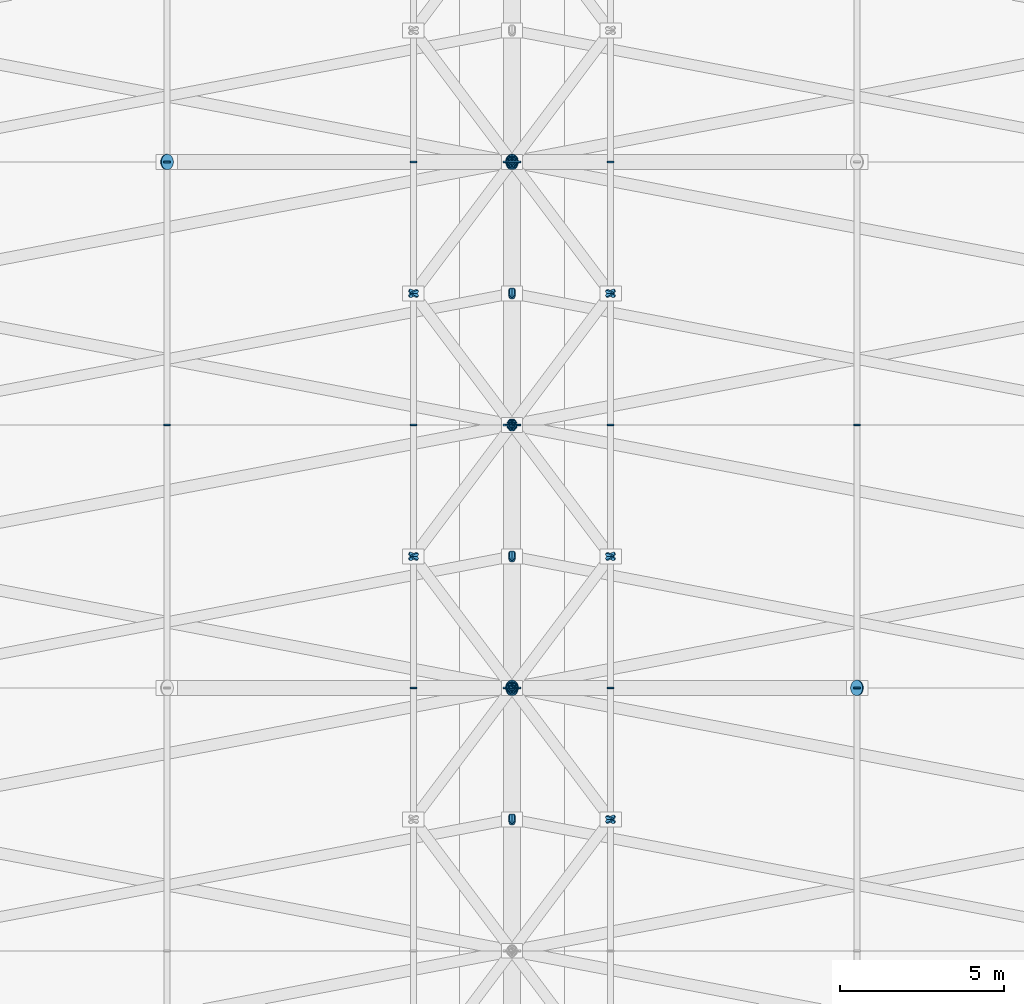
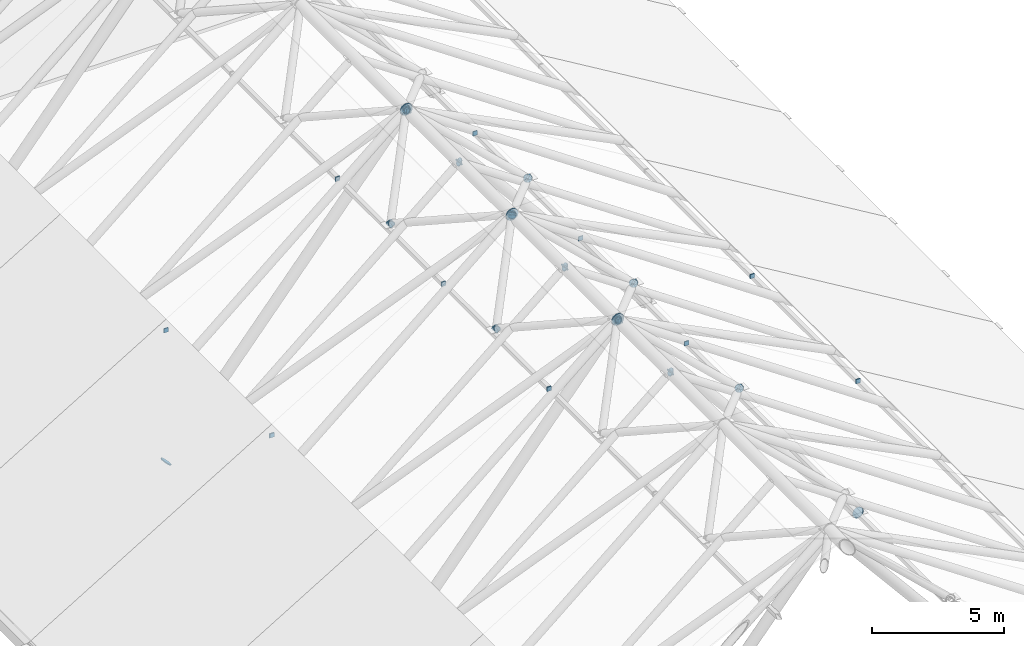
# One storey, part 32 of 44: 72 discrete accessories.
"""IFC4 building model written with IfcOpenShell, lengths in metres."""

from ifc_helpers import new_model, si_unit, direction, frame, origin, origin_2d, place, context, subcontext, project, spatial, rectangle, circle, extrude, material, element, save


model = new_model("IFC4")

# Units and contexts
model_context = context("Model", 3, precision=1e-05, world=origin(), true_north=direction((0.0, 1.0)))
body_context = subcontext(model_context, "Body", "Model", "MODEL_VIEW")
ifc_project = project(units=[si_unit("LENGTHUNIT", "METRE"), si_unit("AREAUNIT", "SQUARE_METRE"), si_unit("VOLUMEUNIT", "CUBIC_METRE"), si_unit("PLANEANGLEUNIT", "RADIAN"), si_unit("MASSUNIT", "GRAM", prefix="KILO")], contexts=[model_context])

# Site, building, storey
site_placement = place(None, origin())
site = spatial("IfcSite", under=ifc_project, at=site_placement, CompositionType="ELEMENT")
building_placement = place(site_placement, origin())
building = spatial("IfcBuilding", under=site, at=building_placement, Name="Marlcrest Central Station", CompositionType="ELEMENT")
storey_placement = place(building_placement, frame((0.0, 0.0, 19.5)))
storey = spatial("IfcBuildingStorey", under=building, at=storey_placement, Name="L04", CompositionType="ELEMENT", Elevation=19.5)

# Discrete accessories
ifc_material = material(Name="Steel S355", Category="steel")
for number, where, z_axis, x_axis, name in (
    (1, (107.98388671875, 70.5, 12.580810546875), (0.640181471429, 0.0, 0.768223719784), (0.0, 1.0, 0.0), "endcap-mem-ST-01-L04-02372-e"),
    (2, (118.509521484375, 70.5, -0.011474609375), (-0.640181471429, 0.0, 0.768223719784), (0.0, -1.0, 0.0), "endcap-mem-ST-01-L04-02373-s"),
    (3, (108.01611328125, 70.5, 12.580810546875), (-0.640181471429, 0.0, 0.768223719784), (0.0, -1.0, 0.0), "endcap-mem-ST-01-L04-02373-e"),
    (4, (97.490478515625, 86.5, -0.011474609375), (0.640181471429, 0.0, 0.768223719784), (0.0, 1.0, 0.0), "endcap-mem-ST-01-L04-02374-s"),
    (5, (107.98388671875, 86.5, 12.580810546875), (0.640181471429, 0.0, 0.768223719784), (0.0, 1.0, 0.0), "endcap-mem-ST-01-L04-02374-e"),
    (6, (108.01611328125, 86.5, 12.580810546875), (-0.640181471429, 0.0, 0.768223719784), (0.0, -1.0, 0.0), "endcap-mem-ST-01-L04-02375-e"),
):
    element("IfcDiscreteAccessory", number, at=place(storey_placement, frame(where, z_axis=z_axis, x_axis=x_axis)), inside=storey, material=ifc_material, Name=name, ObjectType="END_CAP_PLATE", PredefinedType="BRACKET", context=body_context, shape_type="SweptSolid", body=[
        extrude(circle(Radius=0.236572265625, at=origin_2d()), origin(), (0.0, 0.0, 1.0), 0.0400390625),
    ])
discrete_accessory_1_placement = place(storey_placement, frame((108.0, 70.47509765625, 12.60009765625), z_axis=(0.0, 1.0, 0.0), x_axis=(-1.0, 0.0, 0.0)))
element("IfcDiscreteAccessory", 7, at=discrete_accessory_1_placement, inside=storey, material=ifc_material, Name="endcap-mem-SC-SP-L04-02455-e", ObjectType="END_CAP_PLATE", PredefinedType="BRACKET", context=body_context, shape_type="SweptSolid", body=[
    extrude(circle(Radius=0.261962890625, at=origin_2d()), origin(), (0.0, 0.0, 1.0), 0.0400390625),
])
discrete_accessory_2_placement = place(storey_placement, frame((105.0, 70.47509765625, 10.449951171875), z_axis=(0.0, 1.0, 0.0), x_axis=(-1.0, 0.0, 0.0)))
element("IfcDiscreteAccessory", 8, at=discrete_accessory_2_placement, inside=storey, material=ifc_material, Name="endcap-mem-PR-03-L04-02456-e", ObjectType="END_CAP_PLATE", PredefinedType="BRACKET", context=body_context, shape_type="SweptSolid", body=[
    extrude(rectangle(XDim=0.196044921875, YDim=0.196044921875, at=origin_2d()), origin(), (0.0, 0.0, 1.0), 0.0400390625),
])
discrete_accessory_3_placement = place(storey_placement, frame((108.008544921875, 70.51123046875, 12.605224609375), z_axis=(-0.564530690126, -0.752707586834, -0.338727602401), x_axis=(0.8, -0.6, 0.0)))
element("IfcDiscreteAccessory", 9, at=discrete_accessory_3_placement, inside=storey, material=ifc_material, Name="endcap-mem-FB-02-L04-02458-s", ObjectType="END_CAP_PLATE", PredefinedType="BRACKET", context=body_context, shape_type="SweptSolid", body=[
    extrude(circle(Radius=0.169921875, at=origin_2d()), origin(), (0.0, 0.0, 1.0), 0.0400390625),
])
discrete_accessory_4_placement = place(storey_placement, frame((111.0, 70.47509765625, 10.449951171875), z_axis=(0.0, 1.0, 0.0), x_axis=(-1.0, 0.0, 0.0)))
element("IfcDiscreteAccessory", 10, at=discrete_accessory_4_placement, inside=storey, material=ifc_material, Name="endcap-mem-PR-03-L04-02459-e", ObjectType="END_CAP_PLATE", PredefinedType="BRACKET", context=body_context, shape_type="SweptSolid", body=[
    extrude(rectangle(XDim=0.196044921875, YDim=0.196044921875, at=origin_2d()), origin(), (0.0, 0.0, 1.0), 0.0400390625),
])
for number, where, z_axis, x_axis, name in (
    (11, (110.98583984375, 66.481201171875, 10.80859375), (0.564530690126, 0.752707586834, -0.338727602401), (-0.8, 0.6, 0.0), "endcap-mem-FB-02-L04-02460-e"),
    (12, (107.991455078125, 70.51123046875, 12.605224609375), (0.564530690126, -0.752707586834, -0.338727602401), (0.8, 0.6, 0.0), "endcap-mem-FB-02-L04-02461-s"),
    (13, (110.98583984375, 66.518798828125, 10.80859375), (0.564530690126, -0.752707586834, -0.338727602401), (0.8, 0.6, 0.0), "endcap-mem-FB-02-L04-02461-e"),
):
    element("IfcDiscreteAccessory", number, at=place(storey_placement, frame(where, z_axis=z_axis, x_axis=x_axis)), inside=storey, material=ifc_material, Name=name, ObjectType="END_CAP_PLATE", PredefinedType="BRACKET", context=body_context, shape_type="SweptSolid", body=[
        extrude(circle(Radius=0.169921875, at=origin_2d()), origin(), (0.0, 0.0, 1.0), 0.0400390625),
    ])
discrete_accessory_5_placement = place(storey_placement, frame((108.0126953125, 70.50244140625, 12.607666015625), z_axis=(-0.846277296716, -0.161195675565, -0.507770313471), x_axis=(0.18711210789, -0.982338566422, 0.0)))
element("IfcDiscreteAccessory", 14, at=discrete_accessory_5_placement, inside=storey, material=ifc_material, Name="endcap-mem-FB-01-L04-02463-s", ObjectType="END_CAP_PLATE", PredefinedType="BRACKET", context=body_context, shape_type="SweptSolid", body=[
    extrude(circle(Radius=0.185791015625, at=origin_2d()), origin(), (0.0, 0.0, 1.0), 0.0400390625),
])
discrete_accessory_6_placement = place(storey_placement, frame((108.0126953125, 66.50244140625, 12.607666015625), z_axis=(-0.846277296716, -0.161195675565, -0.507770313471), x_axis=(0.18711210789, -0.982338566422, 0.0)))
element("IfcDiscreteAccessory", 15, at=discrete_accessory_6_placement, inside=storey, material=ifc_material, Name="endcap-mem-FB-02-L04-02464-s", ObjectType="END_CAP_PLATE", PredefinedType="BRACKET", context=body_context, shape_type="SweptSolid", body=[
    extrude(circle(Radius=0.169921875, at=origin_2d()), origin(), (0.0, 0.0, 1.0), 0.0400390625),
])
discrete_accessory_7_placement = place(storey_placement, frame((107.9873046875, 70.50244140625, 12.607666015625), z_axis=(0.846277296716, -0.161195675565, -0.507770313471), x_axis=(0.18711210789, 0.982338566422, 0.0)))
element("IfcDiscreteAccessory", 16, at=discrete_accessory_7_placement, inside=storey, material=ifc_material, Name="endcap-mem-FB-01-L04-02467-s", ObjectType="END_CAP_PLATE", PredefinedType="BRACKET", context=body_context, shape_type="SweptSolid", body=[
    extrude(circle(Radius=0.185791015625, at=origin_2d()), origin(), (0.0, 0.0, 1.0), 0.0400390625),
])
discrete_accessory_8_placement = place(storey_placement, frame((107.9873046875, 66.50244140625, 12.607666015625), z_axis=(0.846277296716, -0.161195675565, -0.507770313471), x_axis=(0.18711210789, 0.982338566422, 0.0)))
element("IfcDiscreteAccessory", 17, at=discrete_accessory_8_placement, inside=storey, material=ifc_material, Name="endcap-mem-FB-02-L04-02468-s", ObjectType="END_CAP_PLATE", PredefinedType="BRACKET", context=body_context, shape_type="SweptSolid", body=[
    extrude(circle(Radius=0.169921875, at=origin_2d()), origin(), (0.0, 0.0, 1.0), 0.0400390625),
])
discrete_accessory_9_placement = place(storey_placement, frame((118.5, 70.47509765625, 6.080078125), z_axis=(0.0, 1.0, 0.0), x_axis=(-1.0, 0.0, 0.0)))
element("IfcDiscreteAccessory", 18, at=discrete_accessory_9_placement, inside=storey, material=ifc_material, Name="endcap-mem-PR-03-L04-02469-e", ObjectType="END_CAP_PLATE", PredefinedType="BRACKET", context=body_context, shape_type="SweptSolid", body=[
    extrude(rectangle(XDim=0.196044921875, YDim=0.196044921875, at=origin_2d()), origin(), (0.0, 0.0, 1.0), 0.0400390625),
])
for number, where, z_axis, x_axis, name in (
    (19, (108.0, 70.485107421875, 12.60009765625), (0.0, 1.0, 0.0), (-1.0, 0.0, 0.0), "endcap-mem-SC-SP-L04-02470-s"),
    (20, (108.0, 78.47509765625, 12.60009765625), (0.0, 1.0, 0.0), (-1.0, 0.0, 0.0), "endcap-mem-SC-SP-L04-02470-e"),
):
    element("IfcDiscreteAccessory", number, at=place(storey_placement, frame(where, z_axis=z_axis, x_axis=x_axis)), inside=storey, material=ifc_material, Name=name, ObjectType="END_CAP_PLATE", PredefinedType="BRACKET", context=body_context, shape_type="SweptSolid", body=[
        extrude(circle(Radius=0.261962890625, at=origin_2d()), origin(), (0.0, 0.0, 1.0), 0.0400390625),
    ])
for number, where, z_axis, x_axis, name in (
    (21, (105.0, 70.485107421875, 10.449951171875), (0.0, 1.0, 0.0), (-1.0, 0.0, 0.0), "endcap-mem-PR-03-L04-02471-s"),
    (22, (105.0, 78.47509765625, 10.449951171875), (0.0, 1.0, 0.0), (-1.0, 0.0, 0.0), "endcap-mem-PR-03-L04-02471-e"),
):
    element("IfcDiscreteAccessory", number, at=place(storey_placement, frame(where, z_axis=z_axis, x_axis=x_axis)), inside=storey, material=ifc_material, Name=name, ObjectType="END_CAP_PLATE", PredefinedType="BRACKET", context=body_context, shape_type="SweptSolid", body=[
        extrude(rectangle(XDim=0.196044921875, YDim=0.196044921875, at=origin_2d()), origin(), (0.0, 0.0, 1.0), 0.0400390625),
    ])
for number, where, z_axis, x_axis, name in (
    (23, (108.008544921875, 70.48876953125, 12.605224609375), (-0.564530690126, 0.752707586834, -0.338727602401), (-0.8, -0.6, 0.0), "endcap-mem-FB-02-L04-02472-s"),
    (24, (105.01416015625, 74.481201171875, 10.80859375), (-0.564530690126, 0.752707586834, -0.338727602401), (-0.8, -0.6, 0.0), "endcap-mem-FB-02-L04-02472-e"),
    (25, (108.008544921875, 78.51123046875, 12.605224609375), (-0.564530690126, -0.752707586834, -0.338727602401), (0.8, -0.6, 0.0), "endcap-mem-FB-02-L04-02473-s"),
    (26, (105.01416015625, 74.518798828125, 10.80859375), (-0.564530690126, -0.752707586834, -0.338727602401), (0.8, -0.6, 0.0), "endcap-mem-FB-02-L04-02473-e"),
):
    element("IfcDiscreteAccessory", number, at=place(storey_placement, frame(where, z_axis=z_axis, x_axis=x_axis)), inside=storey, material=ifc_material, Name=name, ObjectType="END_CAP_PLATE", PredefinedType="BRACKET", context=body_context, shape_type="SweptSolid", body=[
        extrude(circle(Radius=0.169921875, at=origin_2d()), origin(), (0.0, 0.0, 1.0), 0.0400390625),
    ])
for number, where, z_axis, x_axis, name in (
    (27, (111.0, 70.485107421875, 10.449951171875), (0.0, 1.0, 0.0), (-1.0, 0.0, 0.0), "endcap-mem-PR-03-L04-02474-s"),
    (28, (111.0, 78.47509765625, 10.449951171875), (0.0, 1.0, 0.0), (-1.0, 0.0, 0.0), "endcap-mem-PR-03-L04-02474-e"),
):
    element("IfcDiscreteAccessory", number, at=place(storey_placement, frame(where, z_axis=z_axis, x_axis=x_axis)), inside=storey, material=ifc_material, Name=name, ObjectType="END_CAP_PLATE", PredefinedType="BRACKET", context=body_context, shape_type="SweptSolid", body=[
        extrude(rectangle(XDim=0.196044921875, YDim=0.196044921875, at=origin_2d()), origin(), (0.0, 0.0, 1.0), 0.0400390625),
    ])
for number, where, z_axis, x_axis, name in (
    (29, (107.991455078125, 70.48876953125, 12.605224609375), (0.564530690126, 0.752707586834, -0.338727602401), (-0.8, 0.6, 0.0), "endcap-mem-FB-02-L04-02475-s"),
    (30, (110.98583984375, 74.481201171875, 10.80859375), (0.564530690126, 0.752707586834, -0.338727602401), (-0.8, 0.6, 0.0), "endcap-mem-FB-02-L04-02475-e"),
    (31, (107.991455078125, 78.51123046875, 12.605224609375), (0.564530690126, -0.752707586834, -0.338727602401), (0.8, 0.6, 0.0), "endcap-mem-FB-02-L04-02476-s"),
    (32, (110.98583984375, 74.518798828125, 10.80859375), (0.564530690126, -0.752707586834, -0.338727602401), (0.8, 0.6, 0.0), "endcap-mem-FB-02-L04-02476-e"),
):
    element("IfcDiscreteAccessory", number, at=place(storey_placement, frame(where, z_axis=z_axis, x_axis=x_axis)), inside=storey, material=ifc_material, Name=name, ObjectType="END_CAP_PLATE", PredefinedType="BRACKET", context=body_context, shape_type="SweptSolid", body=[
        extrude(circle(Radius=0.169921875, at=origin_2d()), origin(), (0.0, 0.0, 1.0), 0.0400390625),
    ])
for number, where, z_axis, x_axis, name in (
    (33, (108.0126953125, 70.49755859375, 12.607666015625), (-0.846277296716, 0.161195675565, -0.507770313471), (-0.18711210789, -0.982338566422, 0.0), "endcap-mem-FB-01-L04-02477-s"),
    (34, (108.0126953125, 78.50244140625, 12.607666015625), (-0.846277296716, -0.161195675565, -0.507770313471), (0.18711210789, -0.982338566422, 0.0), "endcap-mem-FB-01-L04-02478-s"),
):
    element("IfcDiscreteAccessory", number, at=place(storey_placement, frame(where, z_axis=z_axis, x_axis=x_axis)), inside=storey, material=ifc_material, Name=name, ObjectType="END_CAP_PLATE", PredefinedType="BRACKET", context=body_context, shape_type="SweptSolid", body=[
        extrude(circle(Radius=0.185791015625, at=origin_2d()), origin(), (0.0, 0.0, 1.0), 0.0400390625),
    ])
discrete_accessory_10_placement = place(storey_placement, frame((108.0126953125, 74.50244140625, 12.607666015625), z_axis=(-0.846277296716, -0.161195675565, -0.507770313471), x_axis=(0.18711210789, -0.982338566422, 0.0)))
element("IfcDiscreteAccessory", 35, at=discrete_accessory_10_placement, inside=storey, material=ifc_material, Name="endcap-mem-FB-02-L04-02479-s", ObjectType="END_CAP_PLATE", PredefinedType="BRACKET", context=body_context, shape_type="SweptSolid", body=[
    extrude(circle(Radius=0.169921875, at=origin_2d()), origin(), (0.0, 0.0, 1.0), 0.0400390625),
])
discrete_accessory_11_placement = place(storey_placement, frame((97.5, 78.47509765625, 6.080078125), z_axis=(0.0, 1.0, 0.0), x_axis=(-1.0, 0.0, 0.0)))
element("IfcDiscreteAccessory", 36, at=discrete_accessory_11_placement, inside=storey, material=ifc_material, Name="endcap-mem-PR-03-L04-02480-e", ObjectType="END_CAP_PLATE", PredefinedType="BRACKET", context=body_context, shape_type="SweptSolid", body=[
    extrude(rectangle(XDim=0.196044921875, YDim=0.196044921875, at=origin_2d()), origin(), (0.0, 0.0, 1.0), 0.0400390625),
])
for number, where, z_axis, x_axis, name in (
    (37, (107.9873046875, 70.49755859375, 12.607666015625), (0.846277296716, 0.161195675565, -0.507770313471), (-0.18711210789, 0.982338566422, 0.0), "endcap-mem-FB-01-L04-02481-s"),
    (38, (107.9873046875, 78.50244140625, 12.607666015625), (0.846277296716, -0.161195675565, -0.507770313471), (0.18711210789, 0.982338566422, 0.0), "endcap-mem-FB-01-L04-02482-s"),
):
    element("IfcDiscreteAccessory", number, at=place(storey_placement, frame(where, z_axis=z_axis, x_axis=x_axis)), inside=storey, material=ifc_material, Name=name, ObjectType="END_CAP_PLATE", PredefinedType="BRACKET", context=body_context, shape_type="SweptSolid", body=[
        extrude(circle(Radius=0.185791015625, at=origin_2d()), origin(), (0.0, 0.0, 1.0), 0.0400390625),
    ])
discrete_accessory_12_placement = place(storey_placement, frame((107.9873046875, 74.50244140625, 12.607666015625), z_axis=(0.846277296716, -0.161195675565, -0.507770313471), x_axis=(0.18711210789, 0.982338566422, 0.0)))
element("IfcDiscreteAccessory", 39, at=discrete_accessory_12_placement, inside=storey, material=ifc_material, Name="endcap-mem-FB-02-L04-02483-s", ObjectType="END_CAP_PLATE", PredefinedType="BRACKET", context=body_context, shape_type="SweptSolid", body=[
    extrude(circle(Radius=0.169921875, at=origin_2d()), origin(), (0.0, 0.0, 1.0), 0.0400390625),
])
for number, where, z_axis, x_axis, name in (
    (40, (118.5, 70.485107421875, 6.080078125), (0.0, 1.0, 0.0), (-1.0, 0.0, 0.0), "endcap-mem-PR-03-L04-02484-s"),
    (41, (118.5, 78.47509765625, 6.080078125), (0.0, 1.0, 0.0), (-1.0, 0.0, 0.0), "endcap-mem-PR-03-L04-02484-e"),
):
    element("IfcDiscreteAccessory", number, at=place(storey_placement, frame(where, z_axis=z_axis, x_axis=x_axis)), inside=storey, material=ifc_material, Name=name, ObjectType="END_CAP_PLATE", PredefinedType="BRACKET", context=body_context, shape_type="SweptSolid", body=[
        extrude(rectangle(XDim=0.196044921875, YDim=0.196044921875, at=origin_2d()), origin(), (0.0, 0.0, 1.0), 0.0400390625),
    ])
for number, where, z_axis, x_axis, name in (
    (42, (108.0, 78.485107421875, 12.60009765625), (0.0, 1.0, 0.0), (-1.0, 0.0, 0.0), "endcap-mem-SC-SP-L04-02485-s"),
    (43, (108.0, 86.47509765625, 12.60009765625), (0.0, 1.0, 0.0), (-1.0, 0.0, 0.0), "endcap-mem-SC-SP-L04-02485-e"),
):
    element("IfcDiscreteAccessory", number, at=place(storey_placement, frame(where, z_axis=z_axis, x_axis=x_axis)), inside=storey, material=ifc_material, Name=name, ObjectType="END_CAP_PLATE", PredefinedType="BRACKET", context=body_context, shape_type="SweptSolid", body=[
        extrude(circle(Radius=0.261962890625, at=origin_2d()), origin(), (0.0, 0.0, 1.0), 0.0400390625),
    ])
for number, where, z_axis, x_axis, name in (
    (44, (105.0, 78.485107421875, 10.449951171875), (0.0, 1.0, 0.0), (-1.0, 0.0, 0.0), "endcap-mem-PR-03-L04-02486-s"),
    (45, (105.0, 86.47509765625, 10.449951171875), (0.0, 1.0, 0.0), (-1.0, 0.0, 0.0), "endcap-mem-PR-03-L04-02486-e"),
):
    element("IfcDiscreteAccessory", number, at=place(storey_placement, frame(where, z_axis=z_axis, x_axis=x_axis)), inside=storey, material=ifc_material, Name=name, ObjectType="END_CAP_PLATE", PredefinedType="BRACKET", context=body_context, shape_type="SweptSolid", body=[
        extrude(rectangle(XDim=0.196044921875, YDim=0.196044921875, at=origin_2d()), origin(), (0.0, 0.0, 1.0), 0.0400390625),
    ])
for number, where, z_axis, x_axis, name in (
    (46, (108.008544921875, 78.48876953125, 12.605224609375), (-0.564530690126, 0.752707586834, -0.338727602401), (-0.8, -0.6, 0.0), "endcap-mem-FB-02-L04-02487-s"),
    (47, (105.01416015625, 82.481201171875, 10.80859375), (-0.564530690126, 0.752707586834, -0.338727602401), (-0.8, -0.6, 0.0), "endcap-mem-FB-02-L04-02487-e"),
    (48, (108.008544921875, 86.51123046875, 12.605224609375), (-0.564530690126, -0.752707586834, -0.338727602401), (0.8, -0.6, 0.0), "endcap-mem-FB-02-L04-02488-s"),
    (49, (105.01416015625, 82.518798828125, 10.80859375), (-0.564530690126, -0.752707586834, -0.338727602401), (0.8, -0.6, 0.0), "endcap-mem-FB-02-L04-02488-e"),
):
    element("IfcDiscreteAccessory", number, at=place(storey_placement, frame(where, z_axis=z_axis, x_axis=x_axis)), inside=storey, material=ifc_material, Name=name, ObjectType="END_CAP_PLATE", PredefinedType="BRACKET", context=body_context, shape_type="SweptSolid", body=[
        extrude(circle(Radius=0.169921875, at=origin_2d()), origin(), (0.0, 0.0, 1.0), 0.0400390625),
    ])
for number, where, z_axis, x_axis, name in (
    (50, (111.0, 78.485107421875, 10.449951171875), (0.0, 1.0, 0.0), (-1.0, 0.0, 0.0), "endcap-mem-PR-03-L04-02489-s"),
    (51, (111.0, 86.47509765625, 10.449951171875), (0.0, 1.0, 0.0), (-1.0, 0.0, 0.0), "endcap-mem-PR-03-L04-02489-e"),
):
    element("IfcDiscreteAccessory", number, at=place(storey_placement, frame(where, z_axis=z_axis, x_axis=x_axis)), inside=storey, material=ifc_material, Name=name, ObjectType="END_CAP_PLATE", PredefinedType="BRACKET", context=body_context, shape_type="SweptSolid", body=[
        extrude(rectangle(XDim=0.196044921875, YDim=0.196044921875, at=origin_2d()), origin(), (0.0, 0.0, 1.0), 0.0400390625),
    ])
for number, where, z_axis, x_axis, name in (
    (52, (107.991455078125, 78.48876953125, 12.605224609375), (0.564530690126, 0.752707586834, -0.338727602401), (-0.8, 0.6, 0.0), "endcap-mem-FB-02-L04-02490-s"),
    (53, (110.98583984375, 82.481201171875, 10.80859375), (0.564530690126, 0.752707586834, -0.338727602401), (-0.8, 0.6, 0.0), "endcap-mem-FB-02-L04-02490-e"),
    (54, (107.991455078125, 86.51123046875, 12.605224609375), (0.564530690126, -0.752707586834, -0.338727602401), (0.8, 0.6, 0.0), "endcap-mem-FB-02-L04-02491-s"),
    (55, (110.98583984375, 82.518798828125, 10.80859375), (0.564530690126, -0.752707586834, -0.338727602401), (0.8, 0.6, 0.0), "endcap-mem-FB-02-L04-02491-e"),
):
    element("IfcDiscreteAccessory", number, at=place(storey_placement, frame(where, z_axis=z_axis, x_axis=x_axis)), inside=storey, material=ifc_material, Name=name, ObjectType="END_CAP_PLATE", PredefinedType="BRACKET", context=body_context, shape_type="SweptSolid", body=[
        extrude(circle(Radius=0.169921875, at=origin_2d()), origin(), (0.0, 0.0, 1.0), 0.0400390625),
    ])
for number, where, z_axis, x_axis, name in (
    (56, (108.0126953125, 78.49755859375, 12.607666015625), (-0.846277296716, 0.161195675565, -0.507770313471), (-0.18711210789, -0.982338566422, 0.0), "endcap-mem-FB-01-L04-02492-s"),
    (57, (108.0126953125, 86.50244140625, 12.607666015625), (-0.846277296716, -0.161195675565, -0.507770313471), (0.18711210789, -0.982338566422, 0.0), "endcap-mem-FB-01-L04-02493-s"),
):
    element("IfcDiscreteAccessory", number, at=place(storey_placement, frame(where, z_axis=z_axis, x_axis=x_axis)), inside=storey, material=ifc_material, Name=name, ObjectType="END_CAP_PLATE", PredefinedType="BRACKET", context=body_context, shape_type="SweptSolid", body=[
        extrude(circle(Radius=0.185791015625, at=origin_2d()), origin(), (0.0, 0.0, 1.0), 0.0400390625),
    ])
discrete_accessory_13_placement = place(storey_placement, frame((108.0126953125, 82.50244140625, 12.607666015625), z_axis=(-0.846277296716, -0.161195675565, -0.507770313471), x_axis=(0.18711210789, -0.982338566422, 0.0)))
element("IfcDiscreteAccessory", 58, at=discrete_accessory_13_placement, inside=storey, material=ifc_material, Name="endcap-mem-FB-02-L04-02494-s", ObjectType="END_CAP_PLATE", PredefinedType="BRACKET", context=body_context, shape_type="SweptSolid", body=[
    extrude(circle(Radius=0.169921875, at=origin_2d()), origin(), (0.0, 0.0, 1.0), 0.0400390625),
])
for number, where, z_axis, x_axis, name in (
    (59, (97.5, 78.485107421875, 6.080078125), (0.0, 1.0, 0.0), (-1.0, 0.0, 0.0), "endcap-mem-PR-03-L04-02495-s"),
    (60, (97.5, 86.47509765625, 6.080078125), (0.0, 1.0, 0.0), (-1.0, 0.0, 0.0), "endcap-mem-PR-03-L04-02495-e"),
):
    element("IfcDiscreteAccessory", number, at=place(storey_placement, frame(where, z_axis=z_axis, x_axis=x_axis)), inside=storey, material=ifc_material, Name=name, ObjectType="END_CAP_PLATE", PredefinedType="BRACKET", context=body_context, shape_type="SweptSolid", body=[
        extrude(rectangle(XDim=0.196044921875, YDim=0.196044921875, at=origin_2d()), origin(), (0.0, 0.0, 1.0), 0.0400390625),
    ])
for number, where, z_axis, x_axis, name in (
    (61, (107.9873046875, 78.49755859375, 12.607666015625), (0.846277296716, 0.161195675565, -0.507770313471), (-0.18711210789, 0.982338566422, 0.0), "endcap-mem-FB-01-L04-02496-s"),
    (62, (107.9873046875, 86.50244140625, 12.607666015625), (0.846277296716, -0.161195675565, -0.507770313471), (0.18711210789, 0.982338566422, 0.0), "endcap-mem-FB-01-L04-02497-s"),
):
    element("IfcDiscreteAccessory", number, at=place(storey_placement, frame(where, z_axis=z_axis, x_axis=x_axis)), inside=storey, material=ifc_material, Name=name, ObjectType="END_CAP_PLATE", PredefinedType="BRACKET", context=body_context, shape_type="SweptSolid", body=[
        extrude(circle(Radius=0.185791015625, at=origin_2d()), origin(), (0.0, 0.0, 1.0), 0.0400390625),
    ])
discrete_accessory_14_placement = place(storey_placement, frame((107.9873046875, 82.50244140625, 12.607666015625), z_axis=(0.846277296716, -0.161195675565, -0.507770313471), x_axis=(0.18711210789, 0.982338566422, 0.0)))
element("IfcDiscreteAccessory", 63, at=discrete_accessory_14_placement, inside=storey, material=ifc_material, Name="endcap-mem-FB-02-L04-02498-s", ObjectType="END_CAP_PLATE", PredefinedType="BRACKET", context=body_context, shape_type="SweptSolid", body=[
    extrude(circle(Radius=0.169921875, at=origin_2d()), origin(), (0.0, 0.0, 1.0), 0.0400390625),
])
discrete_accessory_15_placement = place(storey_placement, frame((118.5, 78.485107421875, 6.080078125), z_axis=(0.0, 1.0, 0.0), x_axis=(-1.0, 0.0, 0.0)))
element("IfcDiscreteAccessory", 64, at=discrete_accessory_15_placement, inside=storey, material=ifc_material, Name="endcap-mem-PR-03-L04-02499-s", ObjectType="END_CAP_PLATE", PredefinedType="BRACKET", context=body_context, shape_type="SweptSolid", body=[
    extrude(rectangle(XDim=0.196044921875, YDim=0.196044921875, at=origin_2d()), origin(), (0.0, 0.0, 1.0), 0.0400390625),
])
discrete_accessory_16_placement = place(storey_placement, frame((108.0, 86.485107421875, 12.60009765625), z_axis=(0.0, 1.0, 0.0), x_axis=(-1.0, 0.0, 0.0)))
element("IfcDiscreteAccessory", 65, at=discrete_accessory_16_placement, inside=storey, material=ifc_material, Name="endcap-mem-SC-SP-L04-02500-s", ObjectType="END_CAP_PLATE", PredefinedType="BRACKET", context=body_context, shape_type="SweptSolid", body=[
    extrude(circle(Radius=0.261962890625, at=origin_2d()), origin(), (0.0, 0.0, 1.0), 0.0400390625),
])
discrete_accessory_17_placement = place(storey_placement, frame((105.0, 86.485107421875, 10.449951171875), z_axis=(0.0, 1.0, 0.0), x_axis=(-1.0, 0.0, 0.0)))
element("IfcDiscreteAccessory", 66, at=discrete_accessory_17_placement, inside=storey, material=ifc_material, Name="endcap-mem-PR-03-L04-02501-s", ObjectType="END_CAP_PLATE", PredefinedType="BRACKET", context=body_context, shape_type="SweptSolid", body=[
    extrude(rectangle(XDim=0.196044921875, YDim=0.196044921875, at=origin_2d()), origin(), (0.0, 0.0, 1.0), 0.0400390625),
])
discrete_accessory_18_placement = place(storey_placement, frame((108.008544921875, 86.48876953125, 12.605224609375), z_axis=(-0.564530690126, 0.752707586834, -0.338727602401), x_axis=(-0.8, -0.6, 0.0)))
element("IfcDiscreteAccessory", 67, at=discrete_accessory_18_placement, inside=storey, material=ifc_material, Name="endcap-mem-FB-02-L04-02502-s", ObjectType="END_CAP_PLATE", PredefinedType="BRACKET", context=body_context, shape_type="SweptSolid", body=[
    extrude(circle(Radius=0.169921875, at=origin_2d()), origin(), (0.0, 0.0, 1.0), 0.0400390625),
])
discrete_accessory_19_placement = place(storey_placement, frame((111.0, 86.485107421875, 10.449951171875), z_axis=(0.0, 1.0, 0.0), x_axis=(-1.0, 0.0, 0.0)))
element("IfcDiscreteAccessory", 68, at=discrete_accessory_19_placement, inside=storey, material=ifc_material, Name="endcap-mem-PR-03-L04-02504-s", ObjectType="END_CAP_PLATE", PredefinedType="BRACKET", context=body_context, shape_type="SweptSolid", body=[
    extrude(rectangle(XDim=0.196044921875, YDim=0.196044921875, at=origin_2d()), origin(), (0.0, 0.0, 1.0), 0.0400390625),
])
discrete_accessory_20_placement = place(storey_placement, frame((107.991455078125, 86.48876953125, 12.605224609375), z_axis=(0.564530690126, 0.752707586834, -0.338727602401), x_axis=(-0.8, 0.6, 0.0)))
element("IfcDiscreteAccessory", 69, at=discrete_accessory_20_placement, inside=storey, material=ifc_material, Name="endcap-mem-FB-02-L04-02505-s", ObjectType="END_CAP_PLATE", PredefinedType="BRACKET", context=body_context, shape_type="SweptSolid", body=[
    extrude(circle(Radius=0.169921875, at=origin_2d()), origin(), (0.0, 0.0, 1.0), 0.0400390625),
])
discrete_accessory_21_placement = place(storey_placement, frame((108.0126953125, 86.49755859375, 12.607666015625), z_axis=(-0.846277296716, 0.161195675565, -0.507770313471), x_axis=(-0.18711210789, -0.982338566422, 0.0)))
element("IfcDiscreteAccessory", 70, at=discrete_accessory_21_placement, inside=storey, material=ifc_material, Name="endcap-mem-FB-01-L04-02507-s", ObjectType="END_CAP_PLATE", PredefinedType="BRACKET", context=body_context, shape_type="SweptSolid", body=[
    extrude(circle(Radius=0.185791015625, at=origin_2d()), origin(), (0.0, 0.0, 1.0), 0.0400390625),
])
discrete_accessory_22_placement = place(storey_placement, frame((97.5, 86.485107421875, 6.080078125), z_axis=(0.0, 1.0, 0.0), x_axis=(-1.0, 0.0, 0.0)))
element("IfcDiscreteAccessory", 71, at=discrete_accessory_22_placement, inside=storey, material=ifc_material, Name="endcap-mem-PR-03-L04-02510-s", ObjectType="END_CAP_PLATE", PredefinedType="BRACKET", context=body_context, shape_type="SweptSolid", body=[
    extrude(rectangle(XDim=0.196044921875, YDim=0.196044921875, at=origin_2d()), origin(), (0.0, 0.0, 1.0), 0.0400390625),
])
discrete_accessory_23_placement = place(storey_placement, frame((107.9873046875, 86.49755859375, 12.607666015625), z_axis=(0.846277296716, 0.161195675565, -0.507770313471), x_axis=(-0.18711210789, 0.982338566422, 0.0)))
element("IfcDiscreteAccessory", 72, at=discrete_accessory_23_placement, inside=storey, material=ifc_material, Name="endcap-mem-FB-01-L04-02511-s", ObjectType="END_CAP_PLATE", PredefinedType="BRACKET", context=body_context, shape_type="SweptSolid", body=[
    extrude(circle(Radius=0.185791015625, at=origin_2d()), origin(), (0.0, 0.0, 1.0), 0.0400390625),
])

save(model, "model.ifc")
